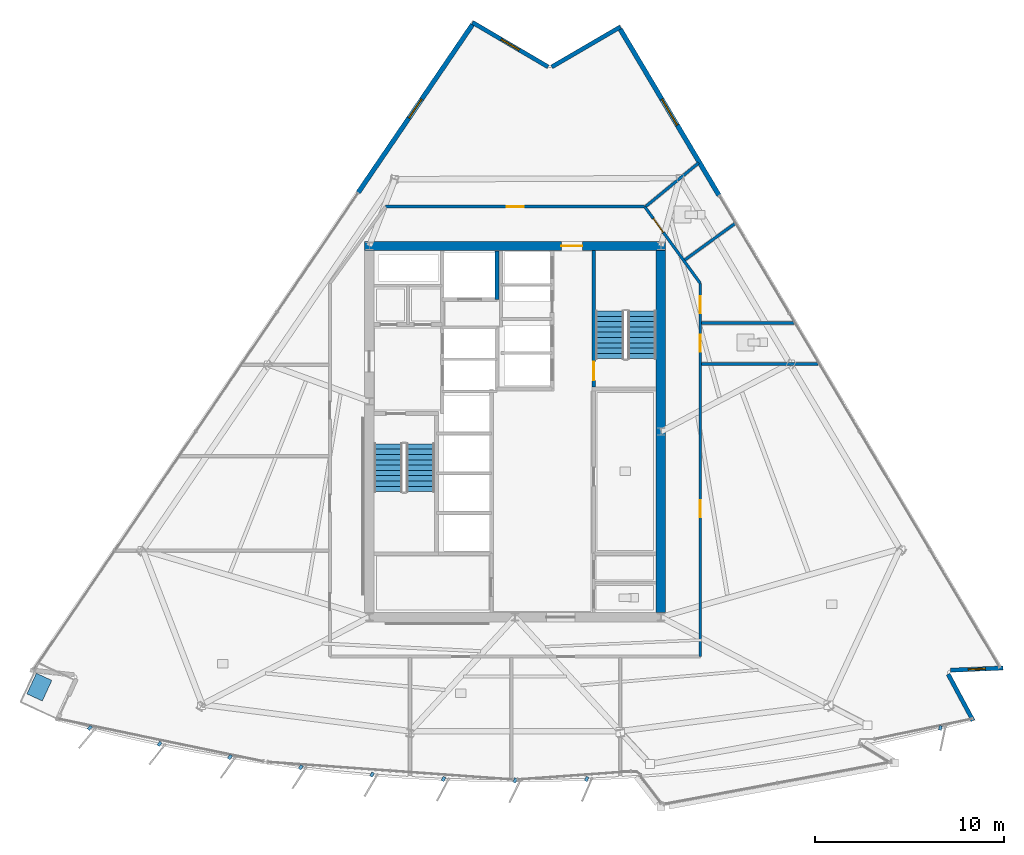
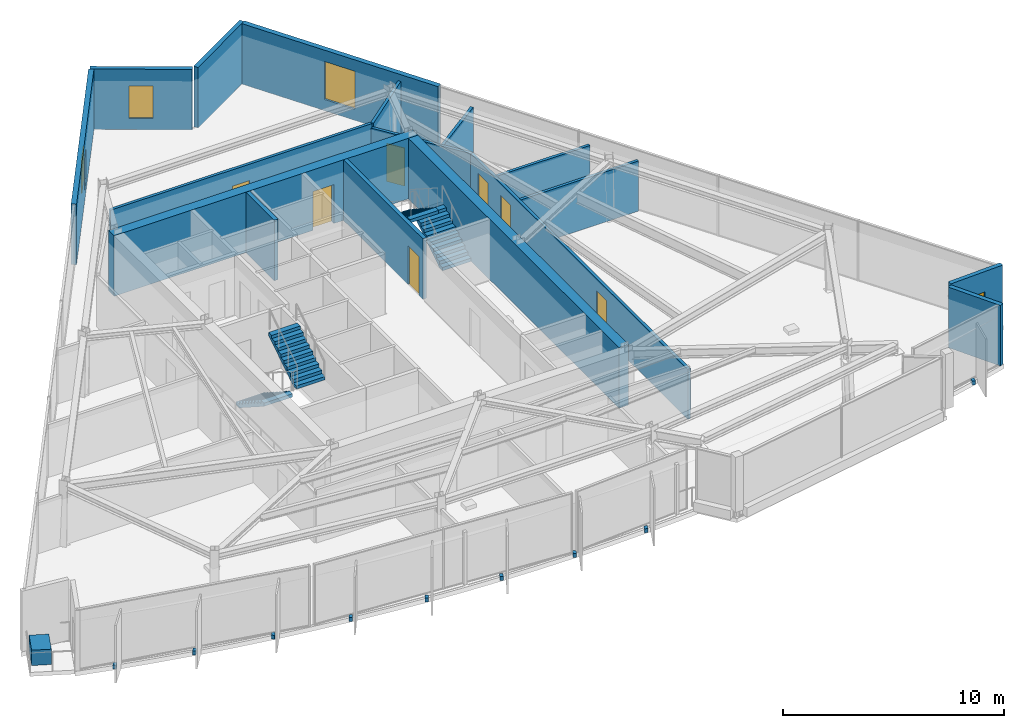
# One storey, part 9 of 13: 17 walls, 10 discrete accessories, 7 doors, 4 stair flights, 4 windows, 11 openings, 2 elements without a shape of their own.
"""IFC4 building model written with IfcOpenShell, lengths in metres."""

from ifc_helpers import new_model, si_unit, direction, frame, frame_2d, origin, origin_2d, place, context, subcontext, project, spatial, polyline, rectangle, outline, extrude, material, layer, layer_set, type_object, element, fill, aggregate, save


model = new_model("IFC4")

# Units and contexts
model_context = context("Model", 3, precision=1e-05, world=origin(), true_north=direction((0.0, 1.0)))
body_context = subcontext(model_context, "Body", "Model", "MODEL_VIEW")
ifc_project = project(units=[si_unit("LENGTHUNIT", "METRE"), si_unit("AREAUNIT", "SQUARE_METRE"), si_unit("VOLUMEUNIT", "CUBIC_METRE"), si_unit("PLANEANGLEUNIT", "RADIAN"), si_unit("MASSUNIT", "GRAM", prefix="KILO")], contexts=[model_context])

# Site, building, storey
site_placement = place(None, origin())
site = spatial("IfcSite", under=ifc_project, at=site_placement, CompositionType="ELEMENT")
building_placement = place(site_placement, origin())
building = spatial("IfcBuilding", under=site, at=building_placement, Name="Savorim Split Tower", CompositionType="ELEMENT")
storey_placement = place(building_placement, frame((0.0, 0.0, 216.300048828125)))
storey = spatial("IfcBuildingStorey", under=building, at=storey_placement, Name="L57", CompositionType="ELEMENT", Elevation=216.300048828125)

# Wall, opening, door
ifc_material_1 = material(Name="Concrete C60/75", Category="concrete")
ifc_layer_1 = layer(ifc_material_1, 0.5)
ifc_layer_set_1 = layer_set([ifc_layer_1], Name="WAL-COR-SH500")
wall_type_1 = type_object("IfcWallType", Name="WAL-COR-SH500", PredefinedType="SHEAR", material=ifc_layer_set_1)
wall_1_placement = place(storey_placement, frame((7.949951171875, 10.199951171875, 0.0), z_axis=(0.0, 0.0, 1.0), x_axis=(-1.0, 0.0, 0.0)))
wall_1 = element("IfcWall", 1, at=wall_1_placement, inside=storey, type_object=wall_type_1, Name="L57 Offset Core North Shear Wall", PredefinedType="SHEAR", context=body_context, shape_type="SweptSolid", body=[
    extrude(rectangle(XDim=15.89990234375, YDim=0.5, at=frame_2d((7.949951171875, 0.0))), origin(), (0.0, 0.0, 1.0), 3.349853515625),
])
opening_1_placement = place(wall_1_placement, frame((4.39990234375, 0.0, 0.0)))
opening_1 = element("IfcOpeningElement", 2, at=opening_1_placement, cuts=wall_1, Name="Opening DI-03", PredefinedType="OPENING", context=body_context, shape_type="SweptSolid", body=[
    extrude(rectangle(XDim=1.10009765625, YDim=2.14990234375, at=frame_2d((0.550048828125, 1.074951171875))), frame((0.0, 0.260009765625, 0.0), z_axis=(0.0, -1.0, 0.0), x_axis=(1.0, 0.0, 0.0)), (0.0, 0.0, 1.0), 0.52001953125),
])
ifc_material_2 = material(Name="Timber Fire Door Leaf", Category="wood")
door_type_1 = type_object("IfcDoorType", Name="DOR-FIR-1100", OperationType="NOTDEFINED", PredefinedType="DOOR", material=ifc_material_2)
door_1_placement = place(opening_1_placement, origin())
door_1 = element("IfcDoor", 3, at=door_1_placement, inside=storey, type_object=door_type_1, Name="DOR-L57-COR-NLOB - L57 North Corridor Lobby Fire Door", OperationType="SINGLE_SWING_RIGHT", OverallHeight=2.14990234375, OverallWidth=1.10009765625, PredefinedType="DOOR", context=body_context, shape_type="SweptSolid", body=[
    extrude(rectangle(XDim=1.10009765625, YDim=2.14990234375, at=frame_2d((0.550048828125, 1.074951171875))), frame((0.0, 0.02490234375, 0.0), z_axis=(0.0, -1.0, 0.0), x_axis=(1.0, 0.0, 0.0)), (0.0, 0.0, 1.0), 0.050048828125),
])
fill(opening_1, door_1)

# Walls
wall_2_placement = place(storey_placement, frame((7.699951171875, 9.949951171875, 0.0), z_axis=(0.0, 0.0, 1.0), x_axis=(0.0, -1.0, 0.0)))
element("IfcWall", 4, at=wall_2_placement, inside=storey, type_object=wall_type_1, Name="L57 Offset Core East Shear Wall", PredefinedType="SHEAR", context=body_context, shape_type="SweptSolid", body=[
    extrude(rectangle(XDim=19.099853515625, YDim=0.5, at=frame_2d((9.5498046875, 0.0))), origin(), (0.0, 0.0, 1.0), 3.349853515625),
])
ifc_material_3 = material(Name="Precast concrete C40/50", Category="concrete")
ifc_layer_2 = layer(ifc_material_3, 0.219970703125)
ifc_layer_set_2 = layer_set([ifc_layer_2], Name="WAL-EXT-CRN220")
wall_type_2 = type_object("IfcWallType", Name="WAL-EXT-CRN220", PredefinedType="SOLIDWALL", material=ifc_layer_set_2)
wall_3_placement = place(storey_placement, frame((22.86767578125, -12.414794921875, 0.0), z_axis=(0.0, 0.0, 1.0), x_axis=(0.472845900162, -0.881145138272, 0.0)))
element("IfcWall", 5, at=wall_3_placement, inside=storey, type_object=wall_type_2, Name="L57 Notched Corner Facade Wall SE1", PredefinedType="SOLIDWALL", context=body_context, shape_type="SweptSolid", body=[
    extrude(rectangle(XDim=2.78759765625, YDim=0.219970703125, at=frame_2d((1.393798828125, 0.0))), origin(), (0.0, 0.0, 1.0), 3.349853515625),
])

# Wall, opening, window
wall_4_placement = place(storey_placement, frame((25.77197265625, -12.082763671875, 0.0), z_axis=(0.0, 0.0, 1.0), x_axis=(-0.999095761456, -0.042516578425, 0.0)))
wall_4 = element("IfcWall", 6, at=wall_4_placement, inside=storey, type_object=wall_type_2, Name="L57 Notched Corner Facade Wall SE", PredefinedType="SOLIDWALL", context=body_context, shape_type="SweptSolid", body=[
    extrude(rectangle(XDim=2.784912109375, YDim=0.219970703125, at=frame_2d((1.392578125, 0.0))), origin(), (0.0, 0.0, 1.0), 3.349853515625),
])
opening_2_placement = place(wall_4_placement, frame((0.9423828125, 0.0, 0.6201171875)))
opening_2 = element("IfcOpeningElement", 7, at=opening_2_placement, cuts=wall_4, Name="Opening WN-10", PredefinedType="OPENING", context=body_context, shape_type="SweptSolid", body=[
    extrude(rectangle(XDim=0.89990234375, YDim=1.60009765625, at=frame_2d((0.449951171875, 0.800048828125))), frame((0.0, 0.119873046875, 0.0), z_axis=(0.0, -1.0, 0.0), x_axis=(1.0, 0.0, 0.0)), (0.0, 0.0, 1.0), 0.239990234375),
])
ifc_material_4 = material(Name="Low-E Operable Double Glazing", Category="glass")
window_type_1 = type_object("IfcWindowType", Name="WIN-TWR-900x1600", PartitioningType="SINGLE_PANEL", PredefinedType="WINDOW", material=ifc_material_4)
window_1_placement = place(opening_2_placement, origin())
window_1 = element("IfcWindow", 8, at=window_1_placement, inside=storey, type_object=window_type_1, Name="L57 Operable Corner Window SE", OverallHeight=1.60009765625, OverallWidth=0.89990234375, PartitioningType="SINGLE_PANEL", PredefinedType="WINDOW", context=body_context, shape_type="SweptSolid", body=[
    extrude(rectangle(XDim=0.89990234375, YDim=1.60009765625, at=frame_2d((0.449951171875, 0.800048828125))), frame((0.0, 0.030029296875, 0.0), z_axis=(0.0, -1.0, 0.0), x_axis=(1.0, 0.0, 0.0)), (0.0, 0.0, 1.0), 0.06005859375),
])
fill(opening_2, window_1)

# Wall
wall_5_placement = place(storey_placement, frame((1.935302734375, 19.656494140625, 0.0), z_axis=(0.0, 0.0, 1.0), x_axis=(0.863987356641, 0.503513502862, 0.0)))
element("IfcWall", 9, at=wall_5_placement, inside=storey, type_object=wall_type_2, Name="L57 Notched Corner Facade Wall NE1", PredefinedType="SOLIDWALL", context=body_context, shape_type="SweptSolid", body=[
    extrude(rectangle(XDim=4.203857421875, YDim=0.219970703125, at=frame_2d((2.10205078125, 0.0))), origin(), (0.0, 0.0, 1.0), 3.349853515625),
])

# Wall, opening, window
wall_6_placement = place(storey_placement, frame((-2.25927734375, 22.01025390625, 0.0), z_axis=(0.0, 0.0, 1.0), x_axis=(0.862123324624, -0.506698503193, 0.0)))
wall_6 = element("IfcWall", 10, at=wall_6_placement, inside=storey, type_object=wall_type_2, Name="L57 Notched Corner Facade Wall N", PredefinedType="SOLIDWALL", context=body_context, shape_type="SweptSolid", body=[
    extrude(rectangle(XDim=4.644775390625, YDim=0.219970703125, at=frame_2d((2.322265625, 0.0))), origin(), (0.0, 0.0, 1.0), 3.349853515625),
])
opening_3_placement = place(wall_6_placement, frame((1.7724609375, 0.0, 0.6201171875)))
opening_3 = element("IfcOpeningElement", 11, at=opening_3_placement, cuts=wall_6, Name="Opening WN-09", PredefinedType="OPENING", context=body_context, shape_type="SweptSolid", body=[
    extrude(rectangle(XDim=1.10009765625, YDim=1.800048828125, at=frame_2d((0.550048828125, 0.89990234375))), frame((0.0, 0.119873046875, 0.0), z_axis=(0.0, -1.0, 0.0), x_axis=(1.0, 0.0, 0.0)), (0.0, 0.0, 1.0), 0.239990234375),
])
window_type_2 = type_object("IfcWindowType", Name="WIN-TWR-1100x1800", PartitioningType="SINGLE_PANEL", PredefinedType="WINDOW", material=ifc_material_4)
window_2_placement = place(opening_3_placement, origin())
window_2 = element("IfcWindow", 12, at=window_2_placement, inside=storey, type_object=window_type_2, Name="L57 Operable Corner Window N", OverallHeight=1.800048828125, OverallWidth=1.10009765625, PartitioningType="SINGLE_PANEL", PredefinedType="WINDOW", context=body_context, shape_type="SweptSolid", body=[
    extrude(rectangle(XDim=1.10009765625, YDim=1.800048828125, at=frame_2d((0.550048828125, 0.89990234375))), frame((0.0, 0.030029296875, 0.0), z_axis=(0.0, -1.0, 0.0), x_axis=(1.0, 0.0, 0.0)), (0.0, 0.0, 1.0), 0.06005859375),
])
fill(opening_3, window_2)

ifc_layer_3 = layer(ifc_material_3, 0.25)
ifc_layer_set_3 = layer_set([ifc_layer_3], Name="WAL-EXT-SPN250")
wall_type_3 = type_object("IfcWallType", Name="WAL-EXT-SPN250", PredefinedType="SOLIDWALL", material=ifc_layer_set_3)
wall_7_placement = place(storey_placement, frame((5.55078125, 21.646728515625, 0.0), z_axis=(0.0, 0.0, 1.0), x_axis=(0.511094988088, -0.859524236512, 0.0)))
wall_7 = element("IfcWall", 13, at=wall_7_placement, inside=storey, type_object=wall_type_3, Name="L57 East Operable Window Pier", PredefinedType="SOLIDWALL", context=body_context, shape_type="SweptSolid", body=[
    extrude(rectangle(XDim=10.199951171875, YDim=0.25, at=frame_2d((5.10009765625, 0.0))), origin(), (0.0, 0.0, 1.0), 3.349853515625),
])
opening_4_placement = place(wall_7_placement, frame((4.300048828125, 0.0, 0.6201171875)))
opening_4 = element("IfcOpeningElement", 14, at=opening_4_placement, cuts=wall_7, Name="Opening WN-05", PredefinedType="OPENING", context=body_context, shape_type="SweptSolid", body=[
    extrude(rectangle(XDim=1.60009765625, YDim=2.10009765625, at=frame_2d((0.800048828125, 1.050048828125))), frame((0.0, 0.135009765625, 0.0), z_axis=(0.0, -1.0, 0.0), x_axis=(1.0, 0.0, 0.0)), (0.0, 0.0, 1.0), 0.27001953125),
])
window_type_3 = type_object("IfcWindowType", Name="WIN-TWR-1600x2100", PartitioningType="DOUBLE_PANEL_VERTICAL", PredefinedType="WINDOW", material=ifc_material_4)
window_3_placement = place(opening_4_placement, origin())
window_3 = element("IfcWindow", 15, at=window_3_placement, inside=storey, type_object=window_type_3, Name="L57 East Operable Ventilation Window", OverallHeight=2.10009765625, OverallWidth=1.60009765625, PartitioningType="SINGLE_PANEL", PredefinedType="WINDOW", context=body_context, shape_type="SweptSolid", body=[
    extrude(rectangle(XDim=1.60009765625, YDim=2.10009765625, at=frame_2d((0.800048828125, 1.050048828125))), frame((0.0, 0.030029296875, 0.0), z_axis=(0.0, -1.0, 0.0), x_axis=(1.0, 0.0, 0.0)), (0.0, 0.0, 1.0), 0.06005859375),
])
fill(opening_4, window_3)

wall_8_placement = place(storey_placement, frame((-8.28369140625, 13.02587890625, 0.0), z_axis=(0.0, 0.0, 1.0), x_axis=(0.562468945091, 0.826818411629, 0.0)))
wall_8 = element("IfcWall", 16, at=wall_8_placement, inside=storey, type_object=wall_type_3, Name="L57 West Operable Window Pier", PredefinedType="SOLIDWALL", context=body_context, shape_type="SweptSolid", body=[
    extrude(rectangle(XDim=10.714111328125, YDim=0.25, at=frame_2d((5.35693359375, 0.0))), origin(), (0.0, 0.0, 1.0), 3.349853515625),
])
opening_5_placement = place(wall_8_placement, frame((4.757080078125, 0.0, 0.6201171875)))
opening_5 = element("IfcOpeningElement", 17, at=opening_5_placement, cuts=wall_8, Name="Opening WN-08", PredefinedType="OPENING", context=body_context, shape_type="SweptSolid", body=[
    extrude(rectangle(XDim=1.199951171875, YDim=1.800048828125, at=frame_2d((0.60009765625, 0.89990234375))), frame((0.0, 0.135009765625, 0.0), z_axis=(0.0, -1.0, 0.0), x_axis=(1.0, 0.0, 0.0)), (0.0, 0.0, 1.0), 0.27001953125),
])
window_type_4 = type_object("IfcWindowType", Name="WIN-TWR-1200x1800", PartitioningType="SINGLE_PANEL", PredefinedType="WINDOW", material=ifc_material_4)
window_4_placement = place(opening_5_placement, origin())
window_4 = element("IfcWindow", 18, at=window_4_placement, inside=storey, type_object=window_type_4, Name="L57 West Operable Ventilation Window", OverallHeight=1.800048828125, OverallWidth=1.199951171875, PartitioningType="SINGLE_PANEL", PredefinedType="WINDOW", context=body_context, shape_type="SweptSolid", body=[
    extrude(rectangle(XDim=1.199951171875, YDim=1.800048828125, at=frame_2d((0.60009765625, 0.89990234375))), frame((0.0, 0.030029296875, 0.0), z_axis=(0.0, -1.0, 0.0), x_axis=(1.0, 0.0, 0.0)), (0.0, 0.0, 1.0), 0.06005859375),
])
fill(opening_5, window_4)

# Wall, opening, door
ifc_material_5 = material(Name="Concrete C50/60", Category="concrete")
ifc_layer_4 = layer(ifc_material_5, 0.199951171875)
ifc_layer_set_4 = layer_set([ifc_layer_4], Name="WAL-INT-RC200")
wall_type_4 = type_object("IfcWallType", Name="WAL-INT-RC200", PredefinedType="SOLIDWALL", material=ifc_layer_set_4)
wall_9_placement = place(storey_placement, frame((4.14990234375, 2.75, 0.0), z_axis=(0.0, 0.0, 1.0), x_axis=(0.0, 1.0, 0.0)))
wall_9 = element("IfcWall", 19, at=wall_9_placement, inside=storey, type_object=wall_type_4, Name="L57 Structural Shaft Wall W-L57-CR07", PredefinedType="SOLIDWALL", context=body_context, shape_type="SweptSolid", body=[
    extrude(rectangle(XDim=7.199951171875, YDim=0.199951171875, at=frame_2d((3.60009765625, 0.0))), origin(), (0.0, 0.0, 1.0), 3.349853515625),
])
opening_6_placement = place(wall_9_placement, frame((0.35009765625, 0.0, 0.0)))
opening_6 = element("IfcOpeningElement", 20, at=opening_6_placement, cuts=wall_9, Name="Opening DI-04", PredefinedType="OPENING", context=body_context, shape_type="SweptSolid", body=[
    extrude(rectangle(XDim=1.0, YDim=2.14990234375, at=frame_2d((0.5, 1.074951171875))), frame((0.0, 0.10986328125, 0.0), z_axis=(0.0, -1.0, 0.0), x_axis=(1.0, 0.0, 0.0)), (0.0, 0.0, 1.0), 0.219970703125),
])
door_type_2 = type_object("IfcDoorType", Name="DOR-FIR-1000", OperationType="NOTDEFINED", PredefinedType="DOOR", material=ifc_material_2)
door_2_placement = place(opening_6_placement, origin())
door_2 = element("IfcDoor", 21, at=door_2_placement, inside=storey, type_object=door_type_2, Name="DR-L57-ST2 - L57 Stair ST-2 Enclosure Door", OperationType="SINGLE_SWING_RIGHT", OverallHeight=2.14990234375, OverallWidth=1.0, PredefinedType="DOOR", context=body_context, shape_type="SweptSolid", body=[
    extrude(rectangle(XDim=1.0, YDim=2.14990234375, at=frame_2d((0.5, 1.074951171875))), frame((0.0, 0.02490234375, 0.0), z_axis=(0.0, -1.0, 0.0), x_axis=(1.0, 0.0, 0.0)), (0.0, 0.0, 1.0), 0.050048828125),
])
fill(opening_6, door_2)

# Wall
wall_10_placement = place(storey_placement, frame((-0.949951171875, 7.3798828125, 0.0), z_axis=(0.0, 0.0, 1.0), x_axis=(0.0, 1.0, 0.0)))
element("IfcWall", 22, at=wall_10_placement, inside=storey, type_object=wall_type_4, Name="L57 Partition W-L57-SVLE", PredefinedType="SOLIDWALL", context=body_context, shape_type="SweptSolid", body=[
    extrude(rectangle(XDim=2.565185546875, YDim=0.199951171875, at=frame_2d((1.28271484375, 0.0))), origin(), (0.0, 0.0, 1.0), 3.349853515625),
])

# Wall, opening, door
ifc_material_6 = material(Name="Acoustic Gypsum Partition Board")
ifc_layer_5 = layer(ifc_material_6, 0.14990234375)
ifc_layer_set_5 = layer_set([ifc_layer_5], Name="WAL-PAR-150")
wall_type_5 = type_object("IfcWallType", Name="WAL-PAR-150", PredefinedType="PARTITIONING", material=ifc_layer_set_5)
wall_11_placement = place(storey_placement, frame((-6.8408203125, 12.280029296875, 0.0), z_axis=(0.0, 0.0, 1.0), x_axis=(1.0, 0.0, 0.0)))
wall_11 = element("IfcWall", 23, at=wall_11_placement, inside=storey, type_object=wall_type_5, Name="L57 Partition W-L57-COR-03", PredefinedType="PARTITIONING", context=body_context, shape_type="SweptSolid", body=[
    extrude(rectangle(XDim=13.681640625, YDim=0.14990234375, at=frame_2d((6.8408203125, 0.0))), origin(), (0.0, 0.0, 1.0), 3.0048828125),
])
opening_7_placement = place(wall_11_placement, frame((6.390869140625, 0.0, 0.0)))
opening_7 = element("IfcOpeningElement", 24, at=opening_7_placement, cuts=wall_11, Name="Opening DI-06", PredefinedType="OPENING", context=body_context, shape_type="SweptSolid", body=[
    extrude(rectangle(XDim=0.89990234375, YDim=2.10009765625, at=frame_2d((0.449951171875, 1.050048828125))), frame((0.0, 0.0849609375, 0.0), z_axis=(0.0, -1.0, 0.0), x_axis=(1.0, 0.0, 0.0)), (0.0, 0.0, 1.0), 0.169921875),
])
door_type_3 = type_object("IfcDoorType", Name="DOR-FIR-900", OperationType="NOTDEFINED", PredefinedType="DOOR", material=ifc_material_2)
door_3_placement = place(opening_7_placement, origin())
door_3 = element("IfcDoor", 25, at=door_3_placement, inside=storey, type_object=door_type_3, Name="DR-L57-RM09 - L57 Co-Working Commons Entry Door", OperationType="SINGLE_SWING_RIGHT", OverallHeight=2.10009765625, OverallWidth=0.89990234375, PredefinedType="DOOR", context=body_context, shape_type="SweptSolid", body=[
    extrude(rectangle(XDim=0.89990234375, YDim=2.10009765625, at=frame_2d((0.449951171875, 1.050048828125))), frame((0.0, 0.02490234375, 0.0), z_axis=(0.0, -1.0, 0.0), x_axis=(1.0, 0.0, 0.0)), (0.0, 0.0, 1.0), 0.050048828125),
])
fill(opening_7, door_3)

wall_12_placement = place(storey_placement, frame((6.8408203125, 12.280029296875, 0.0), z_axis=(0.0, 0.0, 1.0), x_axis=(0.586956386413, -0.809618552436, 0.0)))
wall_12 = element("IfcWall", 26, at=wall_12_placement, inside=storey, type_object=wall_type_5, Name="L57 Partition W-L57-COR-04", PredefinedType="PARTITIONING", context=body_context, shape_type="SweptSolid", body=[
    extrude(rectangle(XDim=5.007568359375, YDim=0.14990234375, at=frame_2d((2.50390625, 0.0))), origin(), (0.0, 0.0, 1.0), 2.77490234375),
])
opening_8_placement = place(wall_12_placement, frame((0.78076171875, 0.0, 0.0)))
opening_8 = element("IfcOpeningElement", 27, at=opening_8_placement, cuts=wall_12, Name="Opening DI-11", PredefinedType="OPENING", context=body_context, shape_type="SweptSolid", body=[
    extrude(rectangle(XDim=0.89990234375, YDim=2.10009765625, at=frame_2d((0.449951171875, 1.050048828125))), frame((0.0, 0.0849609375, 0.0), z_axis=(0.0, -1.0, 0.0), x_axis=(1.0, 0.0, 0.0)), (0.0, 0.0, 1.0), 0.169921875),
])
ifc_material_7 = material(Name="Oak Veneer Acoustic Door")
door_type_4 = type_object("IfcDoorType", Name="DOR-WC-900", OperationType="NOTDEFINED", PredefinedType="DOOR", material=ifc_material_7)
door_4_placement = place(opening_8_placement, origin())
door_4 = element("IfcDoor", 28, at=door_4_placement, inside=storey, type_object=door_type_4, Name="DR-L57-RM08 - L57 Shared Bathroom Entry Door", OperationType="SINGLE_SWING_LEFT", OverallHeight=2.10009765625, OverallWidth=0.89990234375, PredefinedType="DOOR", context=body_context, shape_type="SweptSolid", body=[
    extrude(rectangle(XDim=0.89990234375, YDim=2.10009765625, at=frame_2d((0.449951171875, 1.050048828125))), frame((0.0, 0.02490234375, 0.0), z_axis=(0.0, -1.0, 0.0), x_axis=(1.0, 0.0, 0.0)), (0.0, 0.0, 1.0), 0.050048828125),
])
fill(opening_8, door_4)

# Wall, openings, doors
wall_13_placement = place(storey_placement, frame((9.780029296875, 8.225830078125, 0.0), z_axis=(0.0, 0.0, 1.0), x_axis=(0.0, -1.0, 0.0)))
wall_13 = element("IfcWall", 29, at=wall_13_placement, inside=storey, type_object=wall_type_5, Name="L57 Partition W-L57-COR-05", PredefinedType="PARTITIONING", context=body_context, shape_type="SweptSolid", body=[
    extrude(rectangle(XDim=19.705810546875, YDim=0.14990234375, at=frame_2d((9.85302734375, 0.0))), origin(), (0.0, 0.0, 1.0), 2.77490234375),
])
opening_9_placement = place(wall_13_placement, frame((11.44091796875, 0.0, 0.0)))
opening_9 = element("IfcOpeningElement", 30, at=opening_9_placement, cuts=wall_13, Name="Opening DI-06", PredefinedType="OPENING", context=body_context, shape_type="SweptSolid", body=[
    extrude(rectangle(XDim=0.89990234375, YDim=2.10009765625, at=frame_2d((0.449951171875, 1.050048828125))), frame((0.0, 0.0849609375, 0.0), z_axis=(0.0, -1.0, 0.0), x_axis=(1.0, 0.0, 0.0)), (0.0, 0.0, 1.0), 0.169921875),
])
opening_10_placement = place(wall_13_placement, frame((2.723388671875, 0.0, 0.0)))
opening_10 = element("IfcOpeningElement", 31, at=opening_10_placement, cuts=wall_13, Name="Opening DI-11", PredefinedType="OPENING", context=body_context, shape_type="SweptSolid", body=[
    extrude(rectangle(XDim=0.89990234375, YDim=2.10009765625, at=frame_2d((0.449951171875, 1.050048828125))), frame((0.0, 0.0849609375, 0.0), z_axis=(0.0, -1.0, 0.0), x_axis=(1.0, 0.0, 0.0)), (0.0, 0.0, 1.0), 0.169921875),
])
opening_11_placement = place(wall_13_placement, frame((0.685302734375, 0.0, 0.0)))
opening_11 = element("IfcOpeningElement", 32, at=opening_11_placement, cuts=wall_13, Name="Opening DI-06", PredefinedType="OPENING", context=body_context, shape_type="SweptSolid", body=[
    extrude(rectangle(XDim=0.89990234375, YDim=2.10009765625, at=frame_2d((0.449951171875, 1.050048828125))), frame((0.0, 0.0849609375, 0.0), z_axis=(0.0, -1.0, 0.0), x_axis=(1.0, 0.0, 0.0)), (0.0, 0.0, 1.0), 0.169921875),
])
door_5_placement = place(opening_9_placement, origin())
door_5 = element("IfcDoor", 33, at=door_5_placement, inside=storey, type_object=door_type_3, Name="DR-L57-RM05 - L57 Community Laundry Room Entry Door", OperationType="SINGLE_SWING_RIGHT", OverallHeight=2.10009765625, OverallWidth=0.89990234375, PredefinedType="DOOR", context=body_context, shape_type="SweptSolid", body=[
    extrude(rectangle(XDim=0.89990234375, YDim=2.10009765625, at=frame_2d((0.449951171875, 1.050048828125))), frame((0.0, 0.02490234375, 0.0), z_axis=(0.0, -1.0, 0.0), x_axis=(1.0, 0.0, 0.0)), (0.0, 0.0, 1.0), 0.050048828125),
])
fill(opening_9, door_5)
door_6_placement = place(opening_11_placement, origin())
door_6 = element("IfcDoor", 34, at=door_6_placement, inside=storey, type_object=door_type_3, Name="DR-L57-RM07 - L57 Co-Living Bedroom Entry Door", OperationType="SINGLE_SWING_RIGHT", OverallHeight=2.10009765625, OverallWidth=0.89990234375, PredefinedType="DOOR", context=body_context, shape_type="SweptSolid", body=[
    extrude(rectangle(XDim=0.89990234375, YDim=2.10009765625, at=frame_2d((0.449951171875, 1.050048828125))), frame((0.0, 0.02490234375, 0.0), z_axis=(0.0, -1.0, 0.0), x_axis=(1.0, 0.0, 0.0)), (0.0, 0.0, 1.0), 0.050048828125),
])
fill(opening_11, door_6)
door_7_placement = place(opening_10_placement, origin())
door_7 = element("IfcDoor", 35, at=door_7_placement, inside=storey, type_object=door_type_4, Name="DR-L57-RM06 - L57 Shared Bathroom Entry Door", OperationType="SINGLE_SWING_LEFT", OverallHeight=2.10009765625, OverallWidth=0.89990234375, PredefinedType="DOOR", context=body_context, shape_type="SweptSolid", body=[
    extrude(rectangle(XDim=0.89990234375, YDim=2.10009765625, at=frame_2d((0.449951171875, 1.050048828125))), frame((0.0, 0.02490234375, 0.0), z_axis=(0.0, -1.0, 0.0), x_axis=(1.0, 0.0, 0.0)), (0.0, 0.0, 1.0), 0.050048828125),
])
fill(opening_10, door_7)

# Walls
wall_14_placement = place(storey_placement, frame((9.840087890625, 3.9716796875, 0.0), z_axis=(0.0, 0.0, 1.0), x_axis=(1.0, 0.0, 0.0)))
element("IfcWall", 36, at=wall_14_placement, inside=storey, type_object=wall_type_5, Name="L57 Partition W-L57-PRAD06", PredefinedType="PARTITIONING", context=body_context, shape_type="SweptSolid", body=[
    extrude(rectangle(XDim=6.16259765625, YDim=0.14990234375, at=frame_2d((3.081298828125, 0.0))), origin(), (0.0, 0.0, 1.0), 2.77490234375),
])
wall_15_placement = place(storey_placement, frame((6.90478515625, 12.292236328125, 0.0), z_axis=(0.0, 0.0, 1.0), x_axis=(0.771752517436, 0.63592299206, 0.0)))
element("IfcWall", 37, at=wall_15_placement, inside=storey, type_object=wall_type_5, Name="L57 Partition W-L57-PRAD07", PredefinedType="PARTITIONING", context=body_context, shape_type="SweptSolid", body=[
    extrude(rectangle(XDim=3.609130859375, YDim=0.14990234375, at=frame_2d((1.8046875, 0.0))), origin(), (0.0, 0.0, 1.0), 2.974853515625),
])
wall_16_placement = place(storey_placement, frame((8.95751953125, 9.462890625, 0.0), z_axis=(0.0, 0.0, 1.0), x_axis=(0.809638003547, 0.58692955558, 0.0)))
element("IfcWall", 38, at=wall_16_placement, inside=storey, type_object=wall_type_5, Name="L57 Partition W-L57-SUB03", PredefinedType="PARTITIONING", context=body_context, shape_type="SweptSolid", body=[
    extrude(rectangle(XDim=3.262451171875, YDim=0.14990234375, at=frame_2d((1.63134765625, 0.0))), origin(), (0.0, 0.0, 1.0), 2.77490234375),
])
wall_17_placement = place(storey_placement, frame((9.840087890625, 6.13330078125, 0.0), z_axis=(0.0, 0.0, 1.0), x_axis=(1.0, 0.0, 0.0)))
element("IfcWall", 39, at=wall_17_placement, inside=storey, type_object=wall_type_5, Name="L57 Partition W-L57-SUB04", PredefinedType="PARTITIONING", context=body_context, shape_type="SweptSolid", body=[
    extrude(rectangle(XDim=4.877197265625, YDim=0.14990234375, at=frame_2d((2.4384765625, 0.0))), origin(), (0.0, 0.0, 1.0), 2.77490234375),
])

# Stair, stair flights
stair_type = type_object("IfcStairType", Name="STR-DOG-3600", PredefinedType="HALF_TURN_STAIR", material=ifc_material_5)
stair_1_placement = place(storey_placement, origin())
stair_1 = element("IfcStair", 40, at=stair_1_placement, inside=storey, type_object=stair_type, Name="L57 Core Protected Exit Stair ST-1", PredefinedType="HALF_TURN_STAIR")
stair_flight_type = type_object("IfcStairFlightType", Name="SFL-DOG-3600", PredefinedType="STRAIGHT", material=ifc_material_5)
stair_flight_1_placement = place(storey_placement, frame((-6.699951171875, -0.25, 0.0), z_axis=(0.0, 0.0, 1.0), x_axis=(0.0, -1.0, 0.0)))
stair_flight_1 = element("IfcStairFlight", 41, at=stair_flight_1_placement, type_object=stair_flight_type, Name="ST-1 flight 1", NumberOfRisers=10, NumberOfTreads=9, PredefinedType="STRAIGHT", RiserHeight=0.18, TreadLength=0.28, context=body_context, shape_type="SweptSolid", body=[
    extrude(outline(polyline([(0.0, 0.0), (0.0, 0.179931640625), (0.280029296875, 0.179931640625), (0.280029296875, 0.360107421875), (0.56005859375, 0.360107421875), (0.56005859375, 0.5400390625), (0.840087890625, 0.5400390625), (0.840087890625, 0.719970703125), (1.1201171875, 0.719970703125), (1.1201171875, 0.89990234375), (1.39990234375, 0.89990234375), (1.39990234375, 1.080078125), (1.679931640625, 1.080078125), (1.679931640625, 1.260009765625), (1.9599609375, 1.260009765625), (1.9599609375, 1.43994140625), (2.239990234375, 1.43994140625), (2.239990234375, 1.6201171875), (2.52001953125, 1.6201171875), (2.52001953125, 1.800048828125), (2.52001953125, 1.44189453125), (0.277099609375, 0.0), (0.0, 0.0)])), frame((0.0, 0.75, 0.0), z_axis=(0.0, -1.0, 0.0), x_axis=(1.0, 0.0, 0.0)), (0.0, 0.0, 1.0), 1.5),
])
stair_flight_2_placement = place(storey_placement, frame((-5.0, -2.77001953125, 1.800048828125), z_axis=(0.0, 0.0, 1.0), x_axis=(0.0, 1.0, 0.0)))
stair_flight_2 = element("IfcStairFlight", 42, at=stair_flight_2_placement, type_object=stair_flight_type, Name="ST-1 flight 2", NumberOfRisers=10, NumberOfTreads=9, PredefinedType="STRAIGHT", RiserHeight=0.18, TreadLength=0.28, context=body_context, shape_type="SweptSolid", body=[
    extrude(outline(polyline([(0.0, 0.0), (0.0, 0.179931640625), (0.280029296875, 0.179931640625), (0.280029296875, 0.360107421875), (0.56005859375, 0.360107421875), (0.56005859375, 0.5400390625), (0.840087890625, 0.5400390625), (0.840087890625, 0.719970703125), (1.1201171875, 0.719970703125), (1.1201171875, 0.89990234375), (1.39990234375, 0.89990234375), (1.39990234375, 1.080078125), (1.679931640625, 1.080078125), (1.679931640625, 1.260009765625), (1.9599609375, 1.260009765625), (1.9599609375, 1.43994140625), (2.239990234375, 1.43994140625), (2.239990234375, 1.6201171875), (2.52001953125, 1.6201171875), (2.52001953125, 1.800048828125), (2.52001953125, 1.44189453125), (0.277099609375, 0.0), (0.0, 0.0)])), frame((0.0, 0.75, 0.0), z_axis=(0.0, -1.0, 0.0), x_axis=(1.0, 0.0, 0.0)), (0.0, 0.0, 1.0), 1.5),
])
aggregate(stair_1, [stair_flight_1, stair_flight_2])

stair_2_placement = place(storey_placement, origin())
stair_2 = element("IfcStair", 43, at=stair_2_placement, inside=storey, type_object=stair_type, Name="L57 Core Protected Exit Stair ST-2", PredefinedType="HALF_TURN_STAIR")
stair_flight_3_placement = place(storey_placement, frame((6.699951171875, 4.25, 0.0), z_axis=(0.0, 0.0, 1.0), x_axis=(0.0, 1.0, 0.0)))
stair_flight_3 = element("IfcStairFlight", 44, at=stair_flight_3_placement, type_object=stair_flight_type, Name="ST-2 flight 1", NumberOfRisers=10, NumberOfTreads=9, PredefinedType="STRAIGHT", RiserHeight=0.18, TreadLength=0.28, context=body_context, shape_type="SweptSolid", body=[
    extrude(outline(polyline([(0.0, 0.0), (0.0, 0.179931640625), (0.280029296875, 0.179931640625), (0.280029296875, 0.360107421875), (0.56005859375, 0.360107421875), (0.56005859375, 0.5400390625), (0.840087890625, 0.5400390625), (0.840087890625, 0.719970703125), (1.1201171875, 0.719970703125), (1.1201171875, 0.89990234375), (1.39990234375, 0.89990234375), (1.39990234375, 1.080078125), (1.679931640625, 1.080078125), (1.679931640625, 1.260009765625), (1.9599609375, 1.260009765625), (1.9599609375, 1.43994140625), (2.239990234375, 1.43994140625), (2.239990234375, 1.6201171875), (2.52001953125, 1.6201171875), (2.52001953125, 1.800048828125), (2.52001953125, 1.44189453125), (0.277099609375, 0.0), (0.0, 0.0)])), frame((0.0, 0.75, 0.0), z_axis=(0.0, -1.0, 0.0), x_axis=(1.0, 0.0, 0.0)), (0.0, 0.0, 1.0), 1.5),
])
stair_flight_4_placement = place(storey_placement, frame((5.0, 6.77001953125, 1.800048828125), z_axis=(0.0, 0.0, 1.0), x_axis=(0.0, -1.0, 0.0)))
stair_flight_4 = element("IfcStairFlight", 45, at=stair_flight_4_placement, type_object=stair_flight_type, Name="ST-2 flight 2", NumberOfRisers=10, NumberOfTreads=9, PredefinedType="STRAIGHT", RiserHeight=0.18, TreadLength=0.28, context=body_context, shape_type="SweptSolid", body=[
    extrude(outline(polyline([(0.0, 0.0), (0.0, 0.179931640625), (0.280029296875, 0.179931640625), (0.280029296875, 0.360107421875), (0.56005859375, 0.360107421875), (0.56005859375, 0.5400390625), (0.840087890625, 0.5400390625), (0.840087890625, 0.719970703125), (1.1201171875, 0.719970703125), (1.1201171875, 0.89990234375), (1.39990234375, 0.89990234375), (1.39990234375, 1.080078125), (1.679931640625, 1.080078125), (1.679931640625, 1.260009765625), (1.9599609375, 1.260009765625), (1.9599609375, 1.43994140625), (2.239990234375, 1.43994140625), (2.239990234375, 1.6201171875), (2.52001953125, 1.6201171875), (2.52001953125, 1.800048828125), (2.52001953125, 1.44189453125), (0.277099609375, 0.0), (0.0, 0.0)])), frame((0.0, 0.75, 0.0), z_axis=(0.0, -1.0, 0.0), x_axis=(1.0, 0.0, 0.0)), (0.0, 0.0, 1.0), 1.5),
])
aggregate(stair_2, [stair_flight_3, stair_flight_4])

# Discrete accessories
ifc_material_8 = material(Name="Steel S355", Category="steel")
discrete_accessory_type_1 = type_object("IfcDiscreteAccessoryType", Name="ACC-BRK-FIN", PredefinedType="BRACKET", material=ifc_material_8)
for number, where, z_axis, x_axis, name in (
    (46, (-22.460205078125, -15.250732421875, -0.18994140625), (0.0, 0.0, 1.0), (-0.643719022682, -0.765261928909, 0.0), "L57 Fin Slab-Edge Cleat Bracket 01"),
    (47, (-18.774658203125, -16.0947265625, -0.18994140625), (0.0, 0.0, 1.0), (-0.611868076908, -0.790959832394, 0.0), "L57 Fin Slab-Edge Cleat Bracket 02"),
    (48, (-15.0576171875, -16.787109375, -0.18994140625), (0.0, 0.0, 1.0), (-0.578993757737, -0.815331974414, 0.0), "L57 Fin Slab-Edge Cleat Bracket 03"),
    (49, (-11.315185546875, -17.326904296875, -0.18994140625), (0.0, 0.0, 1.0), (-0.545148321708, -0.838339613366, 0.0), "L57 Fin Slab-Edge Cleat Bracket 04"),
    (50, (-7.55419921875, -17.713134765625, -0.18994140625), (0.0, 0.0, 1.0), (-0.510391336723, -0.859942255851, 0.0), "L57 Fin Slab-Edge Cleat Bracket 05"),
    (51, (-3.7802734375, -17.945068359375, -0.18994140625), (0.0, 0.0, 1.0), (-0.474778051978, -0.880105562623, 0.0), "L57 Fin Slab-Edge Cleat Bracket 06"),
    (52, (0.0, -18.0224609375, -0.18994140625), (0.0, 0.0, 1.0), (-0.438371146789, -0.898794046299, 0.0), "L57 Fin Slab-Edge Cleat Bracket 07"),
    (53, (3.7802734375, -17.945068359375, -0.18994140625), (0.0, 0.0, 1.0), (-0.401230091723, -0.915977299662, 0.0), "L57 Fin Slab-Edge Cleat Bracket 08"),
    (54, (22.460205078125, -15.250732421875, -0.18994140625), (0.0, 0.0, 1.0), (-0.206721626106, -0.978399800337, 0.0), "L57 Fin Slab-Edge Cleat Bracket 13"),
):
    element("IfcDiscreteAccessory", number, at=place(storey_placement, frame(where, z_axis=z_axis, x_axis=x_axis)), inside=storey, type_object=discrete_accessory_type_1, Name=name, PredefinedType="BRACKET", context=body_context, shape_type="SweptSolid", body=[
        extrude(rectangle(XDim=0.239990234375, YDim=0.159912109375, at=origin_2d()), origin(), (0.0, 0.0, 1.0), 0.219970703125),
    ])
ifc_material_9 = material(Name="Architectural Precast Planter Concrete C40/50", Category="concrete")
discrete_accessory_type_2 = type_object("IfcDiscreteAccessoryType", Name="ACC-PLN-TREE", PredefinedType="USERDEFINED", material=ifc_material_9)
discrete_accessory_placement = place(storey_placement, frame((-25.122314453125, -13.095703125, 0.0), z_axis=(0.0, 0.0, 1.0), x_axis=(-0.417483310232, -0.908684590866, 0.0)))
element("IfcDiscreteAccessory", 55, at=discrete_accessory_placement, inside=storey, type_object=discrete_accessory_type_2, Name="L57 Balcony Precast Tree Planter SW", ObjectType="PLANTER", PredefinedType="USERDEFINED", context=body_context, shape_type="SweptSolid", body=[
    extrude(rectangle(XDim=1.199951171875, YDim=0.89990234375, at=origin_2d()), origin(), (0.0, 0.0, 1.0), 0.85009765625),
])

save(model, "model.ifc")
